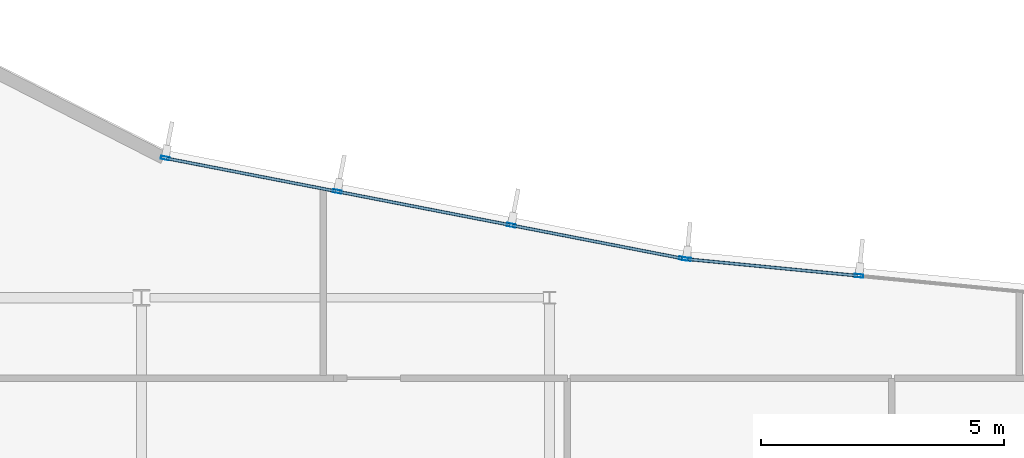
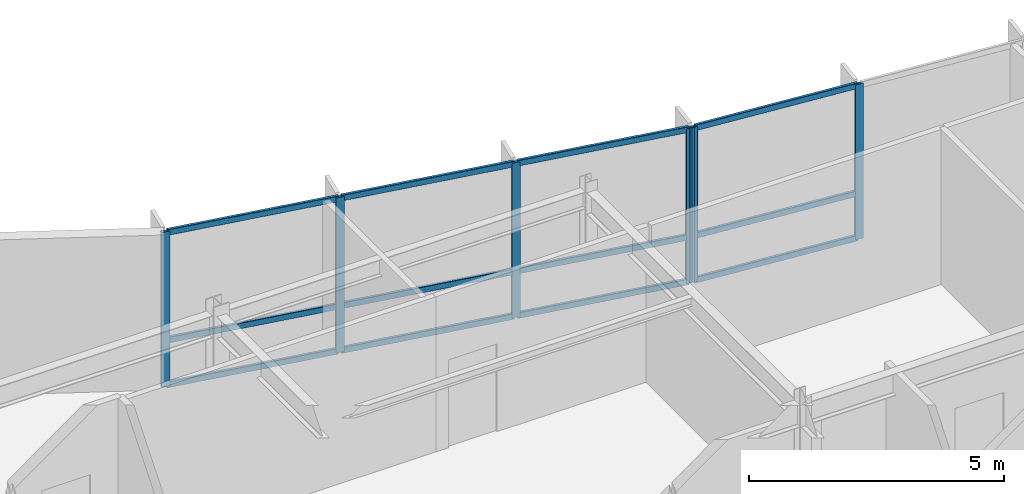
# One storey, part 6 of 15: 18 members, 2 elements without a shape of their own.
"""IFC4 building model written with IfcOpenShell, lengths in metres."""

from ifc_helpers import new_model, si_unit, direction, frame, origin, origin_2d, place, context, subcontext, project, spatial, hollow_rectangle, extrude, material, layer, layer_set, material_profile, profile_set, type_object, element, aggregate, save


model = new_model("IFC4")

# Units and contexts
model_context = context("Model", 3, precision=1e-05, world=origin(), true_north=direction((0.0, 1.0)))
body_context = subcontext(model_context, "Body", "Model", "MODEL_VIEW")
ifc_project = project(units=[si_unit("LENGTHUNIT", "METRE"), si_unit("AREAUNIT", "SQUARE_METRE"), si_unit("VOLUMEUNIT", "CUBIC_METRE"), si_unit("PLANEANGLEUNIT", "RADIAN"), si_unit("MASSUNIT", "GRAM", prefix="KILO")], contexts=[model_context])

# Site, building, storey
site_placement = place(None, origin())
site = spatial("IfcSite", under=ifc_project, at=site_placement, CompositionType="ELEMENT")
building_placement = place(site_placement, origin())
building = spatial("IfcBuilding", under=site, at=building_placement, Name="Varnakote Quay Hospital", CompositionType="ELEMENT")
storey_placement = place(building_placement, frame((0.0, 0.0, 276.300048828125)))
storey = spatial("IfcBuildingStorey", under=building, at=storey_placement, Name="L68", CompositionType="ELEMENT", Elevation=276.300048828125)

# Curtain wall, members
ifc_material_1 = material(Name="Anodised aluminium 6063-T6 Bronze", Category="aluminium")
ifc_layer = layer(ifc_material_1, 0.235107421875)
ifc_layer_set = layer_set([ifc_layer], Name="Anodised aluminium 6063-T6 Bronze")
curtain_wall_type = type_object("IfcCurtainWallType", Name="CW-SYS-5", PredefinedType="NOTDEFINED", material=ifc_layer_set)
curtain_wall_1_placement = place(storey_placement, origin())
curtain_wall_1 = element("IfcCurtainWall", 1, at=curtain_wall_1_placement, inside=storey, type_object=curtain_wall_type, Name="L68 Unitised Bronze Curtain Wall 1", PredefinedType="NOTDEFINED")
ifc_material_2 = material(Name="Anodised aluminium 6063-T6 Bronze", Category="aluminium")
ifc_material_profile_1 = material_profile(ifc_material_2, hollow_rectangle(XDim=0.06494140625, YDim=0.179931640625, WallThickness=0.00390625, InnerFilletRadius=0.00390625, OuterFilletRadius=0.008056640625, at=origin_2d()), Name="CW-MULL-180x65")
ifc_profile_set_1 = profile_set([ifc_material_profile_1], Name="Anodised aluminium 6063-T6 Bronze")
member_type_1 = type_object("IfcMemberType", Name="CW-MULL-180x65", PredefinedType="MULLION", material=ifc_profile_set_1)
member_1_placement = place(storey_placement, frame((31.575439453125, 29.25, 0.0), z_axis=(0.0, 0.0, 1.0), x_axis=(-0.096568970683, -0.995326295192, 0.0)))
member_1 = element("IfcMember", 2, at=member_1_placement, type_object=member_type_1, Name="-5-L68-1 mullion 3", PredefinedType="MULLION", context=body_context, shape_type="SweptSolid", body=[
    extrude(hollow_rectangle(XDim=0.06494140625, YDim=0.179931640625, WallThickness=0.00390625, InnerFilletRadius=0.00390625, OuterFilletRadius=0.008056640625, at=origin_2d()), origin(), (0.0, 0.0, 1.0), 3.7099609375),
])
member_2_placement = place(storey_placement, frame((28.025390625, 29.594482421875, 0.0), z_axis=(0.0, 0.0, 1.0), x_axis=(-0.096568970683, -0.995326295192, 0.0)))
member_2 = element("IfcMember", 3, at=member_2_placement, type_object=member_type_1, Name="-5-L68-1 mullion 4", PredefinedType="MULLION", context=body_context, shape_type="SweptSolid", body=[
    extrude(hollow_rectangle(XDim=0.06494140625, YDim=0.179931640625, WallThickness=0.00390625, InnerFilletRadius=0.00390625, OuterFilletRadius=0.008056640625, at=origin_2d()), origin(), (0.0, 0.0, 1.0), 3.7099609375),
])

curtain_wall_2_placement = place(storey_placement, origin())
curtain_wall_2 = element("IfcCurtainWall", 4, at=curtain_wall_2_placement, inside=storey, type_object=curtain_wall_type, Name="L68 Unitised Bronze Curtain Wall 2", PredefinedType="NOTDEFINED")
member_3_placement = place(storey_placement, frame((27.961181640625, 29.603759765625, 0.0), z_axis=(0.0, 0.0, 1.0), x_axis=(-0.190434218676, -0.981699958418, 0.0)))
member_3 = element("IfcMember", 5, at=member_3_placement, type_object=member_type_1, Name="-5-L68-2 mullion 1", PredefinedType="MULLION", context=body_context, shape_type="SweptSolid", body=[
    extrude(hollow_rectangle(XDim=0.06494140625, YDim=0.179931640625, WallThickness=0.00390625, InnerFilletRadius=0.00390625, OuterFilletRadius=0.008056640625, at=origin_2d()), origin(), (0.0, 0.0, 1.0), 3.7099609375),
])
member_4_placement = place(storey_placement, frame((24.412353515625, 30.2919921875, 0.0), z_axis=(0.0, 0.0, 1.0), x_axis=(-0.190434218676, -0.981699958418, 0.0)))
member_4 = element("IfcMember", 6, at=member_4_placement, type_object=member_type_1, Name="-5-L68-2 mullion 2", PredefinedType="MULLION", context=body_context, shape_type="SweptSolid", body=[
    extrude(hollow_rectangle(XDim=0.06494140625, YDim=0.179931640625, WallThickness=0.00390625, InnerFilletRadius=0.00390625, OuterFilletRadius=0.008056640625, at=origin_2d()), origin(), (0.0, 0.0, 1.0), 3.7099609375),
])
member_5_placement = place(storey_placement, frame((20.83203125, 30.986572265625, 0.0), z_axis=(0.0, 0.0, 1.0), x_axis=(-0.190434218676, -0.981699958418, 0.0)))
member_5 = element("IfcMember", 7, at=member_5_placement, type_object=member_type_1, Name="-5-L68-2 mullion 3", PredefinedType="MULLION", context=body_context, shape_type="SweptSolid", body=[
    extrude(hollow_rectangle(XDim=0.06494140625, YDim=0.179931640625, WallThickness=0.00390625, InnerFilletRadius=0.00390625, OuterFilletRadius=0.008056640625, at=origin_2d()), origin(), (0.0, 0.0, 1.0), 3.7099609375),
])
member_6_placement = place(storey_placement, frame((17.283203125, 31.675048828125, 0.0), z_axis=(0.0, 0.0, 1.0), x_axis=(-0.190434218676, -0.981699958418, 0.0)))
member_6 = element("IfcMember", 8, at=member_6_placement, type_object=member_type_1, Name="-5-L68-2 mullion 4", PredefinedType="MULLION", context=body_context, shape_type="SweptSolid", body=[
    extrude(hollow_rectangle(XDim=0.06494140625, YDim=0.179931640625, WallThickness=0.00390625, InnerFilletRadius=0.00390625, OuterFilletRadius=0.008056640625, at=origin_2d()), origin(), (0.0, 0.0, 1.0), 3.7099609375),
])

# Member
ifc_material_3 = material(Name="Anodised aluminium 6063-T6 Bronze", Category="aluminium")
ifc_material_profile_2 = material_profile(ifc_material_3, hollow_rectangle(XDim=0.06494140625, YDim=0.139892578125, WallThickness=0.00390625, InnerFilletRadius=0.00390625, OuterFilletRadius=0.007568359375, at=origin_2d()), Name="CW-TRAN-140x65")
ifc_profile_set_2 = profile_set([ifc_material_profile_2], Name="Anodised aluminium 6063-T6 Bronze")
member_type_2 = type_object("IfcMemberType", Name="CW-TRAN-140x65", PredefinedType="USERDEFINED", material=ifc_profile_set_2)
member_7_placement = place(storey_placement, frame((31.54296875, 29.253173828125, 0.032470703125), z_axis=(-0.995326912616, 0.096562606751, 0.0), x_axis=(-0.096562606751, -0.995326912616, 0.0)))
member_7 = element("IfcMember", 9, at=member_7_placement, type_object=member_type_2, Name="-5-L68-1 transom 3.1", ObjectType="TRANSOM", PredefinedType="USERDEFINED", context=body_context, shape_type="SweptSolid", body=[
    extrude(hollow_rectangle(XDim=0.06494140625, YDim=0.139892578125, WallThickness=0.00390625, InnerFilletRadius=0.00390625, OuterFilletRadius=0.007568359375, at=origin_2d()), origin(), (0.0, 0.0, 1.0), 3.501708984375),
])

member_8_placement = place(storey_placement, frame((31.54296875, 29.253173828125, 1.099853515625), z_axis=(-0.995326912616, 0.096562606751, 0.0), x_axis=(-0.096562606751, -0.995326912616, 0.0)))
member_8 = element("IfcMember", 10, at=member_8_placement, type_object=member_type_2, Name="-5-L68-1 transom 3.2", ObjectType="TRANSOM", PredefinedType="USERDEFINED", context=body_context, shape_type="SweptSolid", body=[
    extrude(hollow_rectangle(XDim=0.06494140625, YDim=0.139892578125, WallThickness=0.00390625, InnerFilletRadius=0.00390625, OuterFilletRadius=0.007568359375, at=origin_2d()), origin(), (0.0, 0.0, 1.0), 3.501708984375),
])

member_9_placement = place(storey_placement, frame((31.54296875, 29.253173828125, 3.677490234375), z_axis=(-0.995326912616, 0.096562606751, 0.0), x_axis=(-0.096562606751, -0.995326912616, 0.0)))
member_9 = element("IfcMember", 11, at=member_9_placement, type_object=member_type_2, Name="-5-L68-1 transom 3.3", ObjectType="TRANSOM", PredefinedType="USERDEFINED", context=body_context, shape_type="SweptSolid", body=[
    extrude(hollow_rectangle(XDim=0.06494140625, YDim=0.139892578125, WallThickness=0.00390625, InnerFilletRadius=0.00390625, OuterFilletRadius=0.007568359375, at=origin_2d()), origin(), (0.0, 0.0, 1.0), 3.501708984375),
])

aggregate(curtain_wall_1, [member_1, member_2, member_7, member_8, member_9])

member_10_placement = place(storey_placement, frame((27.92919921875, 29.60986328125, 0.032470703125), z_axis=(-0.98169905277, 0.190438887286, 0.0), x_axis=(-0.190438887286, -0.98169905277, 0.0)))
member_10 = element("IfcMember", 12, at=member_10_placement, type_object=member_type_2, Name="-5-L68-2 transom 1.1", ObjectType="TRANSOM", PredefinedType="USERDEFINED", context=body_context, shape_type="SweptSolid", body=[
    extrude(hollow_rectangle(XDim=0.06494140625, YDim=0.139892578125, WallThickness=0.00390625, InnerFilletRadius=0.00390625, OuterFilletRadius=0.007568359375, at=origin_2d()), origin(), (0.0, 0.0, 1.0), 3.5498046875),
])

member_11_placement = place(storey_placement, frame((27.92919921875, 29.60986328125, 1.099853515625), z_axis=(-0.98169905277, 0.190438887286, 0.0), x_axis=(-0.190438887286, -0.98169905277, 0.0)))
member_11 = element("IfcMember", 13, at=member_11_placement, type_object=member_type_2, Name="-5-L68-2 transom 1.2", ObjectType="TRANSOM", PredefinedType="USERDEFINED", context=body_context, shape_type="SweptSolid", body=[
    extrude(hollow_rectangle(XDim=0.06494140625, YDim=0.139892578125, WallThickness=0.00390625, InnerFilletRadius=0.00390625, OuterFilletRadius=0.007568359375, at=origin_2d()), origin(), (0.0, 0.0, 1.0), 3.5498046875),
])

member_12_placement = place(storey_placement, frame((27.92919921875, 29.60986328125, 3.677490234375), z_axis=(-0.98169905277, 0.190438887286, 0.0), x_axis=(-0.190438887286, -0.98169905277, 0.0)))
member_12 = element("IfcMember", 14, at=member_12_placement, type_object=member_type_2, Name="-5-L68-2 transom 1.3", ObjectType="TRANSOM", PredefinedType="USERDEFINED", context=body_context, shape_type="SweptSolid", body=[
    extrude(hollow_rectangle(XDim=0.06494140625, YDim=0.139892578125, WallThickness=0.00390625, InnerFilletRadius=0.00390625, OuterFilletRadius=0.007568359375, at=origin_2d()), origin(), (0.0, 0.0, 1.0), 3.5498046875),
])

member_13_placement = place(storey_placement, frame((24.380615234375, 30.29833984375, 0.032470703125), z_axis=(-0.981704308904, 0.190411790286, 0.0), x_axis=(-0.190411790286, -0.981704308904, 0.0)))
member_13 = element("IfcMember", 15, at=member_13_placement, type_object=member_type_2, Name="-5-L68-2 transom 2.1", ObjectType="TRANSOM", PredefinedType="USERDEFINED", context=body_context, shape_type="SweptSolid", body=[
    extrude(hollow_rectangle(XDim=0.06494140625, YDim=0.139892578125, WallThickness=0.00390625, InnerFilletRadius=0.00390625, OuterFilletRadius=0.007568359375, at=origin_2d()), origin(), (0.0, 0.0, 1.0), 3.582275390625),
])

member_14_placement = place(storey_placement, frame((24.380615234375, 30.29833984375, 1.099853515625), z_axis=(-0.981704308904, 0.190411790286, 0.0), x_axis=(-0.190411790286, -0.981704308904, 0.0)))
member_14 = element("IfcMember", 16, at=member_14_placement, type_object=member_type_2, Name="-5-L68-2 transom 2.2", ObjectType="TRANSOM", PredefinedType="USERDEFINED", context=body_context, shape_type="SweptSolid", body=[
    extrude(hollow_rectangle(XDim=0.06494140625, YDim=0.139892578125, WallThickness=0.00390625, InnerFilletRadius=0.00390625, OuterFilletRadius=0.007568359375, at=origin_2d()), origin(), (0.0, 0.0, 1.0), 3.582275390625),
])

member_15_placement = place(storey_placement, frame((24.380615234375, 30.29833984375, 3.677490234375), z_axis=(-0.981704308904, 0.190411790286, 0.0), x_axis=(-0.190411790286, -0.981704308904, 0.0)))
member_15 = element("IfcMember", 17, at=member_15_placement, type_object=member_type_2, Name="-5-L68-2 transom 2.3", ObjectType="TRANSOM", PredefinedType="USERDEFINED", context=body_context, shape_type="SweptSolid", body=[
    extrude(hollow_rectangle(XDim=0.06494140625, YDim=0.139892578125, WallThickness=0.00390625, InnerFilletRadius=0.00390625, OuterFilletRadius=0.007568359375, at=origin_2d()), origin(), (0.0, 0.0, 1.0), 3.582275390625),
])

member_16_placement = place(storey_placement, frame((20.800048828125, 30.992919921875, 0.032470703125), z_axis=(-0.981711908501, 0.190372604927, 0.0), x_axis=(-0.190372604927, -0.981711908501, 0.0)))
member_16 = element("IfcMember", 18, at=member_16_placement, type_object=member_type_2, Name="-5-L68-2 transom 3.1", ObjectType="TRANSOM", PredefinedType="USERDEFINED", context=body_context, shape_type="SweptSolid", body=[
    extrude(hollow_rectangle(XDim=0.06494140625, YDim=0.139892578125, WallThickness=0.00390625, InnerFilletRadius=0.00390625, OuterFilletRadius=0.007568359375, at=origin_2d()), origin(), (0.0, 0.0, 1.0), 3.5498046875),
])

member_17_placement = place(storey_placement, frame((20.800048828125, 30.992919921875, 1.099853515625), z_axis=(-0.981711908501, 0.190372604927, 0.0), x_axis=(-0.190372604927, -0.981711908501, 0.0)))
member_17 = element("IfcMember", 19, at=member_17_placement, type_object=member_type_2, Name="-5-L68-2 transom 3.2", ObjectType="TRANSOM", PredefinedType="USERDEFINED", context=body_context, shape_type="SweptSolid", body=[
    extrude(hollow_rectangle(XDim=0.06494140625, YDim=0.139892578125, WallThickness=0.00390625, InnerFilletRadius=0.00390625, OuterFilletRadius=0.007568359375, at=origin_2d()), origin(), (0.0, 0.0, 1.0), 3.5498046875),
])

member_18_placement = place(storey_placement, frame((20.800048828125, 30.992919921875, 3.677490234375), z_axis=(-0.981711908501, 0.190372604927, 0.0), x_axis=(-0.190372604927, -0.981711908501, 0.0)))
member_18 = element("IfcMember", 20, at=member_18_placement, type_object=member_type_2, Name="-5-L68-2 transom 3.3", ObjectType="TRANSOM", PredefinedType="USERDEFINED", context=body_context, shape_type="SweptSolid", body=[
    extrude(hollow_rectangle(XDim=0.06494140625, YDim=0.139892578125, WallThickness=0.00390625, InnerFilletRadius=0.00390625, OuterFilletRadius=0.007568359375, at=origin_2d()), origin(), (0.0, 0.0, 1.0), 3.5498046875),
])

aggregate(curtain_wall_2, [member_3, member_4, member_5, member_6, member_10, member_11, member_12, member_13, member_14, member_15, member_16, member_17, member_18])

save(model, "model.ifc")
